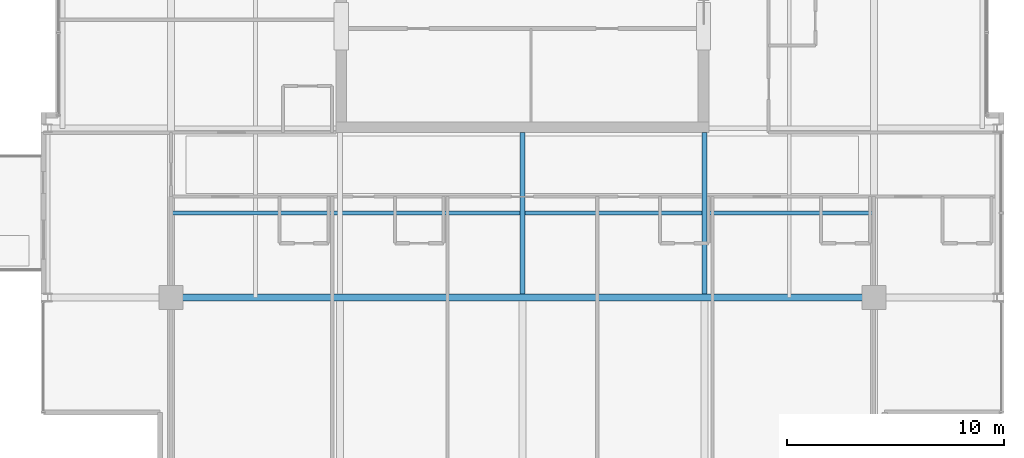
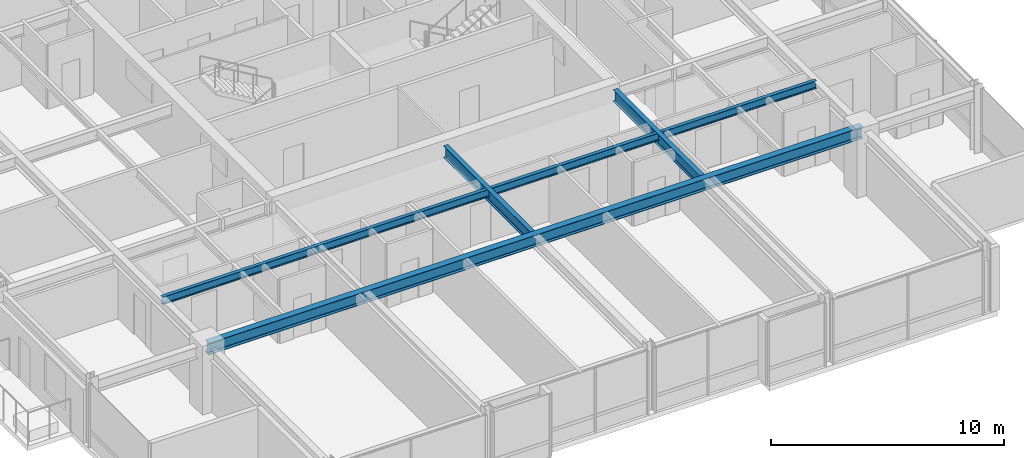
# One storey, part 7 of 31: 4 beams.
"""IFC4 building model written with IfcOpenShell, lengths in metres."""

from ifc_helpers import new_model, si_unit, direction, frame, origin, origin_2d, place, context, subcontext, project, spatial, i_section, extrude, material, material_profile, profile_set, type_object, element, save


model = new_model("IFC4")

# Units and contexts
model_context = context("Model", 3, precision=1e-05, world=origin(), true_north=direction((0.0, 1.0)))
body_context = subcontext(model_context, "Body", "Model", "MODEL_VIEW")
ifc_project = project(units=[si_unit("LENGTHUNIT", "METRE"), si_unit("AREAUNIT", "SQUARE_METRE"), si_unit("VOLUMEUNIT", "CUBIC_METRE"), si_unit("PLANEANGLEUNIT", "RADIAN"), si_unit("MASSUNIT", "GRAM", prefix="KILO")], contexts=[model_context])

# Site, building, storey
site_placement = place(None, origin())
site = spatial("IfcSite", under=ifc_project, at=site_placement, CompositionType="ELEMENT")
building_placement = place(site_placement, origin())
building = spatial("IfcBuilding", under=site, at=building_placement, Name="Drelvath Grand Hotel", CompositionType="ELEMENT")
storey_placement = place(building_placement, frame((0.0, 0.0, 230.300048828125)))
storey = spatial("IfcBuildingStorey", under=building, at=storey_placement, Name="L60", CompositionType="ELEMENT", Elevation=230.300048828125)

# Beams
ifc_material = material(Name="Steel ASTM A992 Gr 50", Category="steel")
ifc_material_profile_1 = material_profile(ifc_material, i_section(OverallWidth=0.177734375, OverallDepth=0.40673828125, WebThickness=0.0078125, FlangeThickness=0.0126953125, FilletRadius=0.014892578125, at=origin_2d()), Name="W16X40")
ifc_profile_set_1 = profile_set([ifc_material_profile_1], Name="Steel ASTM A992 Gr 50")
beam_type_1 = type_object("IfcBeamType", Name="Composite Floor Joist W16X40", PredefinedType="JOIST", material=ifc_profile_set_1)
beam_1_placement = place(storey_placement, frame((-16.199951171875, 14.699951171875, 3.136474609375), z_axis=(1.0, 0.0, 0.0), x_axis=(0.0, 1.0, 0.0)))
element("IfcBeam", 1, at=beam_1_placement, inside=storey, type_object=beam_type_1, Name="L60 Floor Joist J1", PredefinedType="JOIST", context=body_context, shape_type="SweptSolid", body=[
    extrude(i_section(OverallWidth=0.177734375, OverallDepth=0.40673828125, WebThickness=0.0078125, FlangeThickness=0.0126953125, FilletRadius=0.014892578125, at=origin_2d()), origin(), (0.0, 0.0, 1.0), 32.39990234375),
])
ifc_material_profile_2 = material_profile(ifc_material, i_section(OverallWidth=0.323974609375, OverallDepth=0.611083984375, WebThickness=0.0126953125, FlangeThickness=0.01904296875, FilletRadius=0.02197265625, at=origin_2d()), Name="W24X104")
ifc_profile_set_2 = profile_set([ifc_material_profile_2], Name="Steel ASTM A992 Gr 50")
beam_type_2 = type_object("IfcBeamType", Name="Primary Floor Girder W24X104", PredefinedType="BEAM", material=ifc_profile_set_2)
beam_2_placement = place(storey_placement, frame((-16.199951171875, 10.800048828125, 3.034423828125), z_axis=(1.0, 0.0, 0.0), x_axis=(0.0, 1.0, 0.0)))
element("IfcBeam", 2, at=beam_2_placement, inside=storey, type_object=beam_type_2, Name="L60 Mega Ring Girder South", PredefinedType="BEAM", context=body_context, shape_type="SweptSolid", body=[
    extrude(i_section(OverallWidth=0.323974609375, OverallDepth=0.611083984375, WebThickness=0.0126953125, FlangeThickness=0.01904296875, FilletRadius=0.02197265625, at=origin_2d()), origin(), (0.0, 0.0, 1.0), 32.39990234375),
])
ifc_material_profile_3 = material_profile(ifc_material, i_section(OverallWidth=0.228271484375, OverallDepth=0.607666015625, WebThickness=0.01123046875, FlangeThickness=0.017333984375, FilletRadius=0.02001953125, at=origin_2d()), Name="W24X76")
ifc_profile_set_3 = profile_set([ifc_material_profile_3], Name="Steel ASTM A992 Gr 50")
beam_type_3 = type_object("IfcBeamType", Name="Primary Floor Girder W24X76", PredefinedType="BEAM", material=ifc_profile_set_3)
for number, where, z_axis, x_axis, name in (
    (3, (0.0, 10.9619140625, 3.0361328125), (0.0, 1.0, 0.0), (-1.0, 0.0, 0.0), "L60 South Core Tie 5"),
    (4, (8.39990234375, 10.9619140625, 3.0361328125), (0.0, 1.0, 0.0), (-1.0, 0.0, 0.0), "L60 South Core Tie 6"),
):
    element("IfcBeam", number, at=place(storey_placement, frame(where, z_axis=z_axis, x_axis=x_axis)), inside=storey, type_object=beam_type_3, Name=name, PredefinedType="BEAM", context=body_context, shape_type="SweptSolid", body=[
        extrude(i_section(OverallWidth=0.228271484375, OverallDepth=0.607666015625, WebThickness=0.01123046875, FlangeThickness=0.017333984375, FilletRadius=0.02001953125, at=origin_2d()), origin(), (0.0, 0.0, 1.0), 7.43798828125),
    ])

save(model, "model.ifc")
